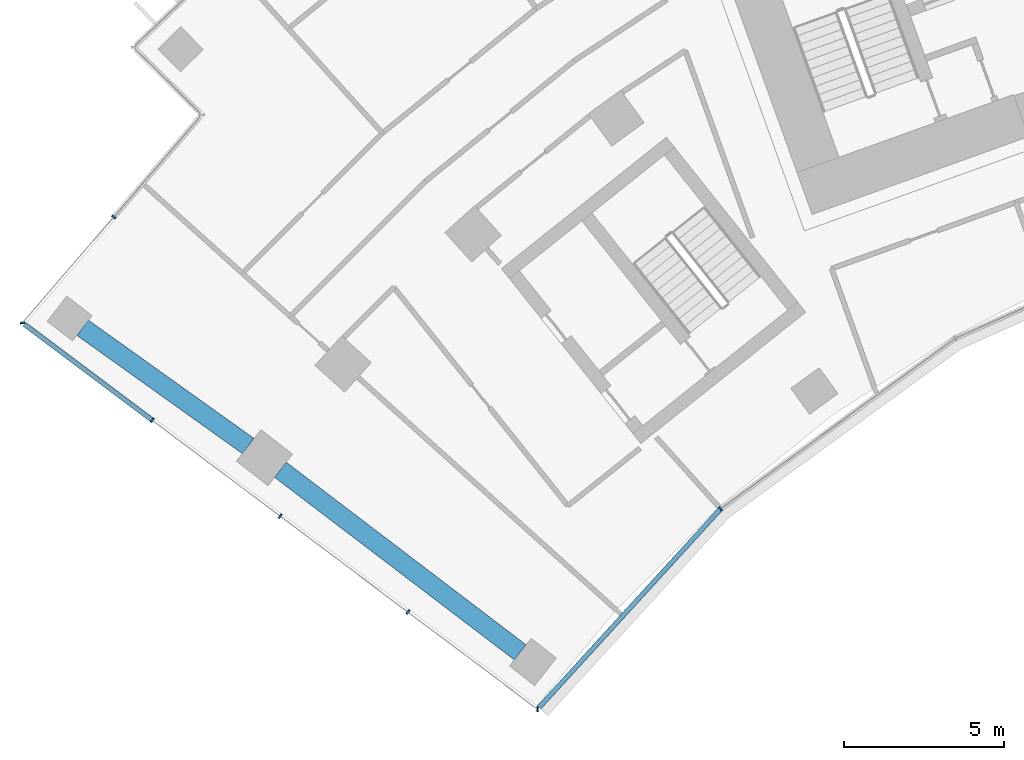
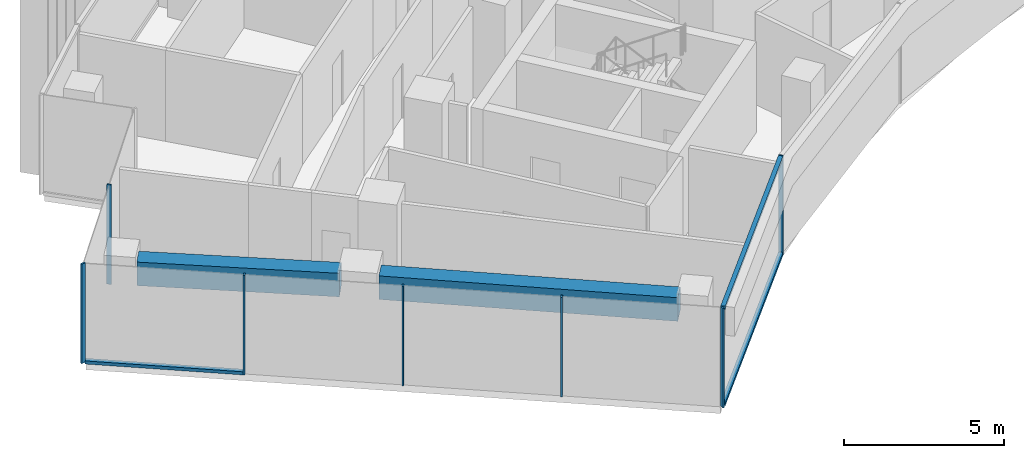
# One storey, part 2 of 22: 10 members, 2 beams, 3 elements without a shape of their own.
"""IFC4 building model written with IfcOpenShell, lengths in metres."""

from ifc_helpers import new_model, si_unit, direction, frame, origin, origin_2d, place, context, subcontext, project, spatial, rectangle, extrude, material, layer, layer_set, material_profile, profile_set, type_object, element, aggregate, save


model = new_model("IFC4")

# Units and contexts
model_context = context("Model", 3, precision=1e-05, world=origin(), true_north=direction((0.0, 1.0)))
body_context = subcontext(model_context, "Body", "Model", "MODEL_VIEW")
ifc_project = project(units=[si_unit("LENGTHUNIT", "METRE"), si_unit("AREAUNIT", "SQUARE_METRE"), si_unit("VOLUMEUNIT", "CUBIC_METRE"), si_unit("PLANEANGLEUNIT", "RADIAN"), si_unit("MASSUNIT", "GRAM", prefix="KILO")], contexts=[model_context])

# Site, building, storey
site_placement = place(None, origin())
site = spatial("IfcSite", under=ifc_project, at=site_placement, CompositionType="ELEMENT")
building_placement = place(site_placement, origin())
building = spatial("IfcBuilding", under=site, at=building_placement, Name="Stone Belt Terrace Tower", CompositionType="ELEMENT")
storey_placement = place(building_placement, frame((0.0, 0.0, 155.39990234375)))
storey = spatial("IfcBuildingStorey", under=building, at=storey_placement, Name="L37", CompositionType="ELEMENT", Elevation=155.39990234375)

# Curtain wall, members
ifc_material_1 = material(Name="Aluminium 6063-T6 anodised frame", Category="aluminium")
ifc_layer_1 = layer(ifc_material_1, 0.14990234375)
ifc_layer_set_1 = layer_set([ifc_layer_1], Name="CW-B unitised concave-face curtain wall")
curtain_wall_type_1 = type_object("IfcCurtainWallType", Name="CW-B unitised concave-face curtain wall", PredefinedType="NOTDEFINED", material=ifc_layer_set_1)
curtain_wall_1_placement = place(storey_placement, origin())
curtain_wall_1 = element("IfcCurtainWall", 1, at=curtain_wall_1_placement, inside=storey, type_object=curtain_wall_type_1, Name="CW-B concave face L37", PredefinedType="NOTDEFINED")
ifc_material_profile_1 = material_profile(ifc_material_1, rectangle(XDim=0.14990234375, YDim=0.050048828125, at=origin_2d()), Name="Aluminium 6063-T6 50x150")
ifc_profile_set_1 = profile_set([ifc_material_profile_1], Name="Aluminium 6063-T6 anodised frame")
member_type_1 = type_object("IfcMemberType", Name="CW-B mullion 50 x 150", PredefinedType="MULLION", material=ifc_profile_set_1)
member_1_placement = place(storey_placement, frame((-34.7900390625, 26.0, 0.0), z_axis=(0.0, 0.0, 1.0), x_axis=(-0.093180581986, 0.995649224949, 0.0)))
member_1 = element("IfcMember", 2, at=member_1_placement, type_object=member_type_1, Name="CW-B mullion 1", PredefinedType="MULLION", context=body_context, shape_type="SweptSolid", body=[
    extrude(rectangle(XDim=0.14990234375, YDim=0.050048828125, at=origin_2d()), origin(), (0.0, 0.0, 1.0), 3.800048828125),
])
member_2_placement = place(storey_placement, frame((-29.056884765625, 32.2705078125, 0.0), z_axis=(0.0, 0.0, 1.0), x_axis=(-0.666300886777, 0.745682994496, 0.0)))
member_2 = element("IfcMember", 3, at=member_2_placement, type_object=member_type_1, Name="CW-B mullion 2", PredefinedType="MULLION", context=body_context, shape_type="SweptSolid", body=[
    extrude(rectangle(XDim=0.14990234375, YDim=0.050048828125, at=origin_2d()), origin(), (0.0, 0.0, 1.0), 3.800048828125),
])
ifc_material_profile_2 = material_profile(ifc_material_1, rectangle(XDim=0.14990234375, YDim=0.1201171875, at=origin_2d()), Name="Aluminium 6063-T6 150x120")
ifc_profile_set_2 = profile_set([ifc_material_profile_2], Name="Aluminium 6063-T6 anodised frame")
member_type_2 = type_object("IfcMemberType", Name="CW-B transom 120 x 150", PredefinedType="USERDEFINED", material=ifc_profile_set_2)
member_3_placement = place(storey_placement, frame((-34.743408203125, 26.05078125, 0.06005859375), z_axis=(0.674757432231, 0.738039570517, 0.0), x_axis=(-0.738039570517, 0.674757432231, 0.0)))
member_3 = element("IfcMember", 4, at=member_3_placement, type_object=member_type_2, Name="CW-B transom 1.1", ObjectType="TRANSOM", PredefinedType="USERDEFINED", context=body_context, shape_type="SweptSolid", body=[
    extrude(rectangle(XDim=0.14990234375, YDim=0.1201171875, at=origin_2d()), origin(), (0.0, 0.0, 1.0), 8.39501953125),
])
member_4_placement = place(storey_placement, frame((-34.743408203125, 26.05078125, 3.739990234375), z_axis=(0.674757432231, 0.738039570517, 0.0), x_axis=(-0.738039570517, 0.674757432231, 0.0)))
member_4 = element("IfcMember", 5, at=member_4_placement, type_object=member_type_2, Name="CW-B transom 1.2", ObjectType="TRANSOM", PredefinedType="USERDEFINED", context=body_context, shape_type="SweptSolid", body=[
    extrude(rectangle(XDim=0.14990234375, YDim=0.1201171875, at=origin_2d()), origin(), (0.0, 0.0, 1.0), 8.39501953125),
])
aggregate(curtain_wall_1, [member_1, member_2, member_3, member_4])

# Curtain wall, member
ifc_layer_2 = layer(ifc_material_1, 0.14990234375)
ifc_layer_set_2 = layer_set([ifc_layer_2], Name="CW-C stick curtain wall, horn ends and notches")
curtain_wall_type_2 = type_object("IfcCurtainWallType", Name="CW-C stick curtain wall, horn ends and notches", PredefinedType="NOTDEFINED", material=ifc_layer_set_2)
curtain_wall_2_placement = place(storey_placement, origin())
curtain_wall_2 = element("IfcCurtainWall", 6, at=curtain_wall_2_placement, inside=storey, type_object=curtain_wall_type_2, Name="CW-C notch face L37", PredefinedType="NOTDEFINED")
ifc_material_profile_3 = material_profile(ifc_material_1, rectangle(XDim=0.14990234375, YDim=0.06005859375, at=origin_2d()), Name="Aluminium 6063-T6 60x150")
ifc_profile_set_3 = profile_set([ifc_material_profile_3], Name="Aluminium 6063-T6 anodised frame")
member_type_3 = type_object("IfcMemberType", Name="CW-C mullion 60 x 150", PredefinedType="MULLION", material=ifc_profile_set_3)
member_5_placement = place(storey_placement, frame((-48.05322265625, 41.40283203125, 0.0), z_axis=(0.0, 0.0, 1.0), x_axis=(0.757583847343, -0.652737860281, 0.0)))
member_5 = element("IfcMember", 7, at=member_5_placement, type_object=member_type_3, Name="CW-C mullion 2", PredefinedType="MULLION", context=body_context, shape_type="SweptSolid", body=[
    extrude(rectangle(XDim=0.14990234375, YDim=0.06005859375, at=origin_2d()), origin(), (0.0, 0.0, 1.0), 3.800048828125),
])
aggregate(curtain_wall_2, [member_5])

# Curtain wall, members
curtain_wall_3_placement = place(storey_placement, origin())
curtain_wall_3 = element("IfcCurtainWall", 8, at=curtain_wall_3_placement, inside=storey, type_object=curtain_wall_type_2, Name="CW-C end face L37", PredefinedType="NOTDEFINED")
member_6_placement = place(storey_placement, frame((-50.908447265625, 38.08935546875, 0.0), z_axis=(0.0, 0.0, 1.0), x_axis=(0.994169356535, 0.107829914807, 0.0)))
member_6 = element("IfcMember", 9, at=member_6_placement, type_object=member_type_3, Name="CW-C mullion 1", PredefinedType="MULLION", context=body_context, shape_type="SweptSolid", body=[
    extrude(rectangle(XDim=0.14990234375, YDim=0.06005859375, at=origin_2d()), origin(), (0.0, 0.0, 1.0), 3.800048828125),
])
member_7_placement = place(storey_placement, frame((-46.84423828125, 35.041015625, 0.0), z_axis=(0.0, 0.0, 1.0), x_axis=(0.600017992436, 0.799986505357, 0.0)))
member_7 = element("IfcMember", 10, at=member_7_placement, type_object=member_type_3, Name="CW-C mullion 2", PredefinedType="MULLION", context=body_context, shape_type="SweptSolid", body=[
    extrude(rectangle(XDim=0.14990234375, YDim=0.06005859375, at=origin_2d()), origin(), (0.0, 0.0, 1.0), 3.800048828125),
])
member_8_placement = place(storey_placement, frame((-42.84423828125, 32.041015625, 0.0), z_axis=(0.0, 0.0, 1.0), x_axis=(0.600017992436, 0.799986505357, 0.0)))
member_8 = element("IfcMember", 11, at=member_8_placement, type_object=member_type_3, Name="CW-C mullion 3", PredefinedType="MULLION", context=body_context, shape_type="SweptSolid", body=[
    extrude(rectangle(XDim=0.14990234375, YDim=0.06005859375, at=origin_2d()), origin(), (0.0, 0.0, 1.0), 3.800048828125),
])
member_9_placement = place(storey_placement, frame((-38.84423828125, 29.040771484375, 0.0), z_axis=(0.0, 0.0, 1.0), x_axis=(0.600017992436, 0.799986505357, 0.0)))
member_9 = element("IfcMember", 12, at=member_9_placement, type_object=member_type_3, Name="CW-C mullion 4", PredefinedType="MULLION", context=body_context, shape_type="SweptSolid", body=[
    extrude(rectangle(XDim=0.14990234375, YDim=0.06005859375, at=origin_2d()), origin(), (0.0, 0.0, 1.0), 3.800048828125),
])
ifc_material_profile_4 = material_profile(ifc_material_1, rectangle(XDim=0.14990234375, YDim=0.1201171875, at=origin_2d()), Name="Aluminium 6063-T6 150x120")
ifc_profile_set_4 = profile_set([ifc_material_profile_4], Name="Aluminium 6063-T6 anodised frame")
member_type_4 = type_object("IfcMemberType", Name="CW-C transom 120 x 150", PredefinedType="USERDEFINED", material=ifc_profile_set_4)
member_10_placement = place(storey_placement, frame((-50.84814453125, 38.044189453125, 0.06005859375), z_axis=(0.799988222323, -0.600015703248, 0.0), x_axis=(0.600015703248, 0.799988222323, 0.0)))
member_10 = element("IfcMember", 13, at=member_10_placement, type_object=member_type_4, Name="CW-C transom 1.1", ObjectType="TRANSOM", PredefinedType="USERDEFINED", context=body_context, shape_type="SweptSolid", body=[
    extrude(rectangle(XDim=0.14990234375, YDim=0.1201171875, at=origin_2d()), origin(), (0.0, 0.0, 1.0), 4.97509765625),
])
aggregate(curtain_wall_3, [member_6, member_7, member_8, member_9, member_10])

# Beams
ifc_material_2 = material(Name="Concrete B60", Category="concrete")
ifc_material_profile_5 = material_profile(ifc_material_2, rectangle(XDim=0.60009765625, YDim=0.89990234375, at=origin_2d()), Name="RC 600x900")
ifc_profile_set_5 = profile_set([ifc_material_profile_5], Name="Concrete B60")
beam_type = type_object("IfcBeamType", Name="Edge beam RC 600x900 B60", PredefinedType="SPANDREL", material=ifc_profile_set_5)
beam_1_placement = place(storey_placement, frame((-35.33203125, 27.779541015625, 3.030029296875), z_axis=(-0.795702028976, 0.605688270552, 0.0), x_axis=(-0.605688270552, -0.795702028976, 0.0)))
element("IfcBeam", 14, at=beam_1_placement, inside=storey, type_object=beam_type, Name="Edge beam L37 A P to Q", PredefinedType="SPANDREL", context=body_context, shape_type="SweptSolid", body=[
    extrude(rectangle(XDim=0.60009765625, YDim=0.89990234375, at=origin_2d()), origin(), (0.0, 0.0, 1.0), 9.430908203125),
])
beam_2_placement = place(storey_placement, frame((-43.842529296875, 34.23388671875, 3.030029296875), z_axis=(-0.813774908454, 0.581180177201, 0.0), x_axis=(-0.581180177201, -0.813774908454, 0.0)))
element("IfcBeam", 15, at=beam_2_placement, inside=storey, type_object=beam_type, Name="Edge beam L37 A Q to R", PredefinedType="SPANDREL", context=body_context, shape_type="SweptSolid", body=[
    extrude(rectangle(XDim=0.60009765625, YDim=0.89990234375, at=origin_2d()), origin(), (0.0, 0.0, 1.0), 6.369140625),
])

save(model, "model.ifc")
